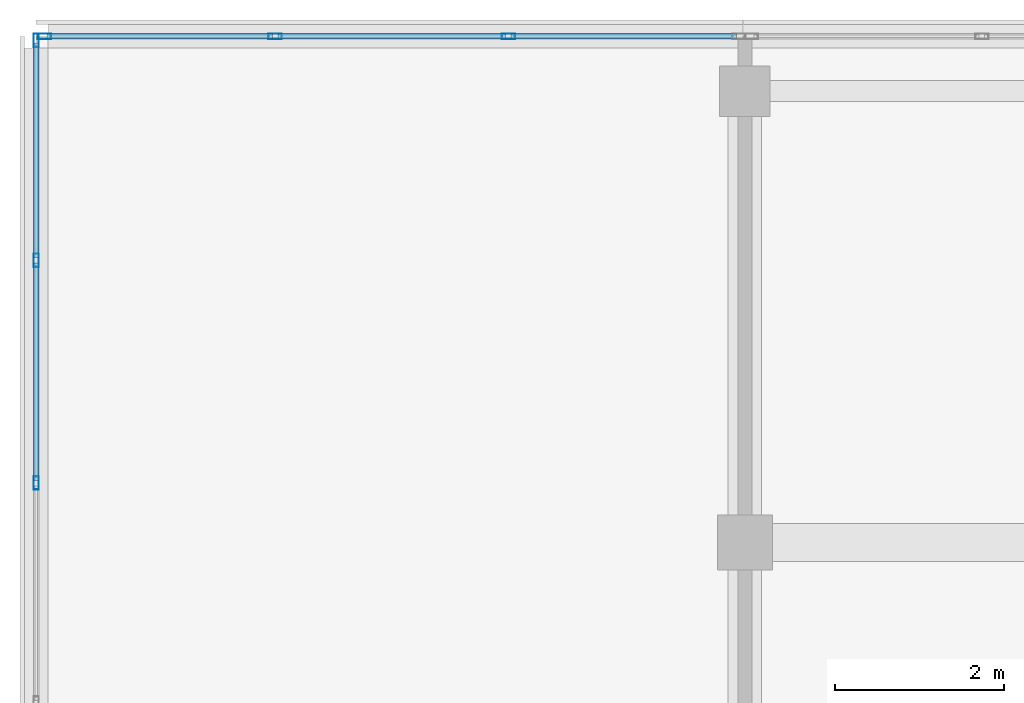
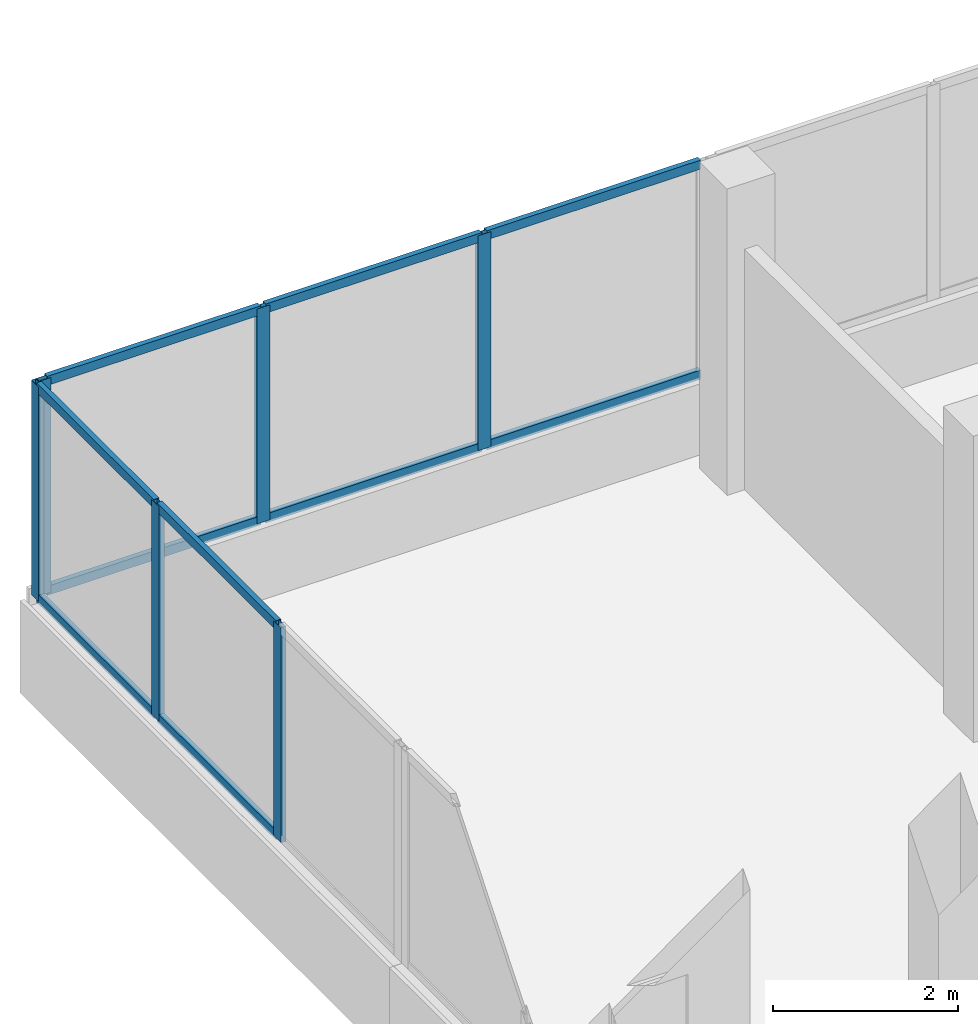
# One storey, part 18 of 76: 16 members, 2 elements without a shape of their own.
"""IFC4 building model written with IfcOpenShell, lengths in metres."""

from ifc_helpers import new_model, si_unit, direction, frame, origin, origin_2d, place, context, subcontext, project, spatial, hollow_rectangle, extrude, material, material_profile, profile_set, type_object, element, aggregate, save


model = new_model("IFC4")

# Units and contexts
model_context = context("Model", 3, precision=1e-05, world=origin(), true_north=direction((0.0, 1.0)))
body_context = subcontext(model_context, "Body", "Model", "MODEL_VIEW")
ifc_project = project(units=[si_unit("LENGTHUNIT", "METRE"), si_unit("AREAUNIT", "SQUARE_METRE"), si_unit("VOLUMEUNIT", "CUBIC_METRE"), si_unit("PLANEANGLEUNIT", "RADIAN"), si_unit("MASSUNIT", "GRAM", prefix="KILO")], contexts=[model_context])

# Site, building, storey
site_placement = place(None, origin())
site = spatial("IfcSite", under=ifc_project, at=site_placement, CompositionType="ELEMENT")
building_placement = place(site_placement, origin())
building = spatial("IfcBuilding", under=site, at=building_placement, Name="Selatvlak General Hospital", CompositionType="ELEMENT")
storey_placement = place(building_placement, frame((0.0, 0.0, 27.300048828125)))
storey = spatial("IfcBuildingStorey", under=building, at=storey_placement, Name="L06", CompositionType="ELEMENT", Elevation=27.300048828125)

# Curtain wall, members
ifc_material_1 = material(Name="Solar-control Low-E double glazing", Category="glass")
curtain_wall_type_1 = type_object("IfcCurtainWallType", Name="CW-CW-01", PredefinedType="USERDEFINED", material=ifc_material_1)
curtain_wall_1_placement = place(storey_placement, origin())
curtain_wall_1 = element("IfcCurtainWall", 1, at=curtain_wall_1_placement, inside=storey, type_object=curtain_wall_type_1, Name="Glazed facade curtain wall CW-L06-0597", ObjectType="UNITISED CURTAIN WALL", PredefinedType="USERDEFINED")
ifc_material_2 = material(Name="Dark anodised aluminium mullion", Category="aluminium")
ifc_material_profile_1 = material_profile(ifc_material_2, hollow_rectangle(XDim=0.06494140625, YDim=0.159912109375, WallThickness=0.00390625, at=origin_2d()), Name="AL-MUL 65x160x4")
ifc_profile_set_1 = profile_set([ifc_material_profile_1], Name="Dark anodised aluminium mullion")
member_type_1 = type_object("IfcMemberType", Name="CWM-01", PredefinedType="MULLION", material=ifc_profile_set_1)
member_1_placement = place(storey_placement, frame((22.800048828125, 114.7041015625, 0.93994140625), z_axis=(0.0, 0.0, 1.0), x_axis=(-1.0, 0.0, 0.0)))
member_1 = element("IfcMember", 2, at=member_1_placement, type_object=member_type_1, Name="CW-01 mullion 2", PredefinedType="MULLION", context=body_context, shape_type="SweptSolid", body=[
    extrude(hollow_rectangle(XDim=0.06494140625, YDim=0.159912109375, WallThickness=0.00390625, at=origin_2d()), origin(), (0.0, 0.0, 1.0), 2.840087890625),
])
member_2_placement = place(storey_placement, frame((22.800048828125, 117.343994140625, 0.93994140625), z_axis=(0.0, 0.0, 1.0), x_axis=(-1.0, 0.0, 0.0)))
member_2 = element("IfcMember", 3, at=member_2_placement, type_object=member_type_1, Name="CW-01 mullion 3", PredefinedType="MULLION", context=body_context, shape_type="SweptSolid", body=[
    extrude(hollow_rectangle(XDim=0.06494140625, YDim=0.159912109375, WallThickness=0.00390625, at=origin_2d()), origin(), (0.0, 0.0, 1.0), 2.840087890625),
])
member_3_placement = place(storey_placement, frame((22.800048828125, 119.951416015625, 0.93994140625), z_axis=(0.0, 0.0, 1.0), x_axis=(-1.0, 0.0, 0.0)))
member_3 = element("IfcMember", 4, at=member_3_placement, type_object=member_type_1, Name="CW-01 mullion 4", PredefinedType="MULLION", context=body_context, shape_type="SweptSolid", body=[
    extrude(hollow_rectangle(XDim=0.06494140625, YDim=0.159912109375, WallThickness=0.00390625, at=origin_2d()), origin(), (0.0, 0.0, 1.0), 2.840087890625),
])

curtain_wall_type_2 = type_object("IfcCurtainWallType", Name="CW-CW-02", PredefinedType="USERDEFINED", material=ifc_material_1)
curtain_wall_2_placement = place(storey_placement, origin())
curtain_wall_2 = element("IfcCurtainWall", 5, at=curtain_wall_2_placement, inside=storey, type_object=curtain_wall_type_2, Name="Glazed facade curtain wall CW-L06-0598", ObjectType="UNITISED CURTAIN WALL", PredefinedType="USERDEFINED")
member_4_placement = place(storey_placement, frame((22.8974609375, 119.9990234375, 0.93994140625), z_axis=(0.0, 0.0, 1.0), x_axis=(0.0, 1.0, 0.0)))
member_4 = element("IfcMember", 6, at=member_4_placement, type_object=member_type_1, Name="CW-02 mullion 1", PredefinedType="MULLION", context=body_context, shape_type="SweptSolid", body=[
    extrude(hollow_rectangle(XDim=0.06494140625, YDim=0.159912109375, WallThickness=0.00390625, at=origin_2d()), origin(), (0.0, 0.0, 1.0), 2.840087890625),
])
member_5_placement = place(storey_placement, frame((25.63134765625, 119.9990234375, 0.93994140625), z_axis=(0.0, 0.0, 1.0), x_axis=(0.0, 1.0, 0.0)))
member_5 = element("IfcMember", 7, at=member_5_placement, type_object=member_type_1, Name="CW-02 mullion 2", PredefinedType="MULLION", context=body_context, shape_type="SweptSolid", body=[
    extrude(hollow_rectangle(XDim=0.06494140625, YDim=0.159912109375, WallThickness=0.00390625, at=origin_2d()), origin(), (0.0, 0.0, 1.0), 2.840087890625),
])
member_6_placement = place(storey_placement, frame((28.397705078125, 119.9990234375, 0.93994140625), z_axis=(0.0, 0.0, 1.0), x_axis=(0.0, 1.0, 0.0)))
member_6 = element("IfcMember", 8, at=member_6_placement, type_object=member_type_1, Name="CW-02 mullion 3", PredefinedType="MULLION", context=body_context, shape_type="SweptSolid", body=[
    extrude(hollow_rectangle(XDim=0.06494140625, YDim=0.159912109375, WallThickness=0.00390625, at=origin_2d()), origin(), (0.0, 0.0, 1.0), 2.840087890625),
])

# Member
ifc_material_profile_2 = material_profile(ifc_material_2, hollow_rectangle(XDim=0.06494140625, YDim=0.1201171875, WallThickness=0.00390625, at=origin_2d()), Name="AL-TRN 65x120x4")
ifc_profile_set_2 = profile_set([ifc_material_profile_2], Name="Dark anodised aluminium mullion")
member_type_2 = type_object("IfcMemberType", Name="CWT-01", PredefinedType="USERDEFINED", material=ifc_profile_set_2)
member_7_placement = place(storey_placement, frame((22.800048828125, 114.736572265625, 0.972412109375), z_axis=(0.0, 1.0, 0.0), x_axis=(-1.0, 0.0, 0.0)))
member_7 = element("IfcMember", 9, at=member_7_placement, type_object=member_type_2, Name="CW-01 transom 2.1", ObjectType="TRANSOM", PredefinedType="USERDEFINED", context=body_context, shape_type="SweptSolid", body=[
    extrude(hollow_rectangle(XDim=0.06494140625, YDim=0.1201171875, WallThickness=0.00390625, at=origin_2d()), origin(), (0.0, 0.0, 1.0), 2.574951171875),
])

member_8_placement = place(storey_placement, frame((22.800048828125, 114.736572265625, 3.74755859375), z_axis=(0.0, 1.0, 0.0), x_axis=(-1.0, 0.0, 0.0)))
member_8 = element("IfcMember", 10, at=member_8_placement, type_object=member_type_2, Name="CW-01 transom 2.2", ObjectType="TRANSOM", PredefinedType="USERDEFINED", context=body_context, shape_type="SweptSolid", body=[
    extrude(hollow_rectangle(XDim=0.06494140625, YDim=0.1201171875, WallThickness=0.00390625, at=origin_2d()), origin(), (0.0, 0.0, 1.0), 2.574951171875),
])

member_9_placement = place(storey_placement, frame((22.800048828125, 117.37646484375, 0.972412109375), z_axis=(0.0, 1.0, 0.0), x_axis=(-1.0, 0.0, 0.0)))
member_9 = element("IfcMember", 11, at=member_9_placement, type_object=member_type_2, Name="CW-01 transom 3.1", ObjectType="TRANSOM", PredefinedType="USERDEFINED", context=body_context, shape_type="SweptSolid", body=[
    extrude(hollow_rectangle(XDim=0.06494140625, YDim=0.1201171875, WallThickness=0.00390625, at=origin_2d()), origin(), (0.0, 0.0, 1.0), 2.54248046875),
])

member_10_placement = place(storey_placement, frame((22.800048828125, 117.37646484375, 3.74755859375), z_axis=(0.0, 1.0, 0.0), x_axis=(-1.0, 0.0, 0.0)))
member_10 = element("IfcMember", 12, at=member_10_placement, type_object=member_type_2, Name="CW-01 transom 3.2", ObjectType="TRANSOM", PredefinedType="USERDEFINED", context=body_context, shape_type="SweptSolid", body=[
    extrude(hollow_rectangle(XDim=0.06494140625, YDim=0.1201171875, WallThickness=0.00390625, at=origin_2d()), origin(), (0.0, 0.0, 1.0), 2.54248046875),
])

aggregate(curtain_wall_1, [member_1, member_2, member_3, member_7, member_8, member_9, member_10])

member_11_placement = place(storey_placement, frame((22.929931640625, 119.9990234375, 0.972412109375), z_axis=(1.0, 0.0, 0.0), x_axis=(0.0, 1.0, 0.0)))
member_11 = element("IfcMember", 13, at=member_11_placement, type_object=member_type_2, Name="CW-02 transom 1.1", ObjectType="TRANSOM", PredefinedType="USERDEFINED", context=body_context, shape_type="SweptSolid", body=[
    extrude(hollow_rectangle(XDim=0.06494140625, YDim=0.1201171875, WallThickness=0.00390625, at=origin_2d()), origin(), (0.0, 0.0, 1.0), 2.6689453125),
])

member_12_placement = place(storey_placement, frame((22.929931640625, 119.9990234375, 3.74755859375), z_axis=(1.0, 0.0, 0.0), x_axis=(0.0, 1.0, 0.0)))
member_12 = element("IfcMember", 14, at=member_12_placement, type_object=member_type_2, Name="CW-02 transom 1.2", ObjectType="TRANSOM", PredefinedType="USERDEFINED", context=body_context, shape_type="SweptSolid", body=[
    extrude(hollow_rectangle(XDim=0.06494140625, YDim=0.1201171875, WallThickness=0.00390625, at=origin_2d()), origin(), (0.0, 0.0, 1.0), 2.6689453125),
])

member_13_placement = place(storey_placement, frame((25.663818359375, 119.9990234375, 0.972412109375), z_axis=(1.0, 0.0, 0.0), x_axis=(0.0, 1.0, 0.0)))
member_13 = element("IfcMember", 15, at=member_13_placement, type_object=member_type_2, Name="CW-02 transom 2.1", ObjectType="TRANSOM", PredefinedType="USERDEFINED", context=body_context, shape_type="SweptSolid", body=[
    extrude(hollow_rectangle(XDim=0.06494140625, YDim=0.1201171875, WallThickness=0.00390625, at=origin_2d()), origin(), (0.0, 0.0, 1.0), 2.701416015625),
])

member_14_placement = place(storey_placement, frame((25.663818359375, 119.9990234375, 3.74755859375), z_axis=(1.0, 0.0, 0.0), x_axis=(0.0, 1.0, 0.0)))
member_14 = element("IfcMember", 16, at=member_14_placement, type_object=member_type_2, Name="CW-02 transom 2.2", ObjectType="TRANSOM", PredefinedType="USERDEFINED", context=body_context, shape_type="SweptSolid", body=[
    extrude(hollow_rectangle(XDim=0.06494140625, YDim=0.1201171875, WallThickness=0.00390625, at=origin_2d()), origin(), (0.0, 0.0, 1.0), 2.701416015625),
])

member_15_placement = place(storey_placement, frame((28.43017578125, 119.9990234375, 0.972412109375), z_axis=(1.0, 0.0, 0.0), x_axis=(0.0, 1.0, 0.0)))
member_15 = element("IfcMember", 17, at=member_15_placement, type_object=member_type_2, Name="CW-02 transom 3.1", ObjectType="TRANSOM", PredefinedType="USERDEFINED", context=body_context, shape_type="SweptSolid", body=[
    extrude(hollow_rectangle(XDim=0.06494140625, YDim=0.1201171875, WallThickness=0.00390625, at=origin_2d()), origin(), (0.0, 0.0, 1.0), 2.6689453125),
])

member_16_placement = place(storey_placement, frame((28.43017578125, 119.9990234375, 3.74755859375), z_axis=(1.0, 0.0, 0.0), x_axis=(0.0, 1.0, 0.0)))
member_16 = element("IfcMember", 18, at=member_16_placement, type_object=member_type_2, Name="CW-02 transom 3.2", ObjectType="TRANSOM", PredefinedType="USERDEFINED", context=body_context, shape_type="SweptSolid", body=[
    extrude(hollow_rectangle(XDim=0.06494140625, YDim=0.1201171875, WallThickness=0.00390625, at=origin_2d()), origin(), (0.0, 0.0, 1.0), 2.6689453125),
])

aggregate(curtain_wall_2, [member_4, member_5, member_6, member_11, member_12, member_13, member_14, member_15, member_16])

save(model, "model.ifc")
